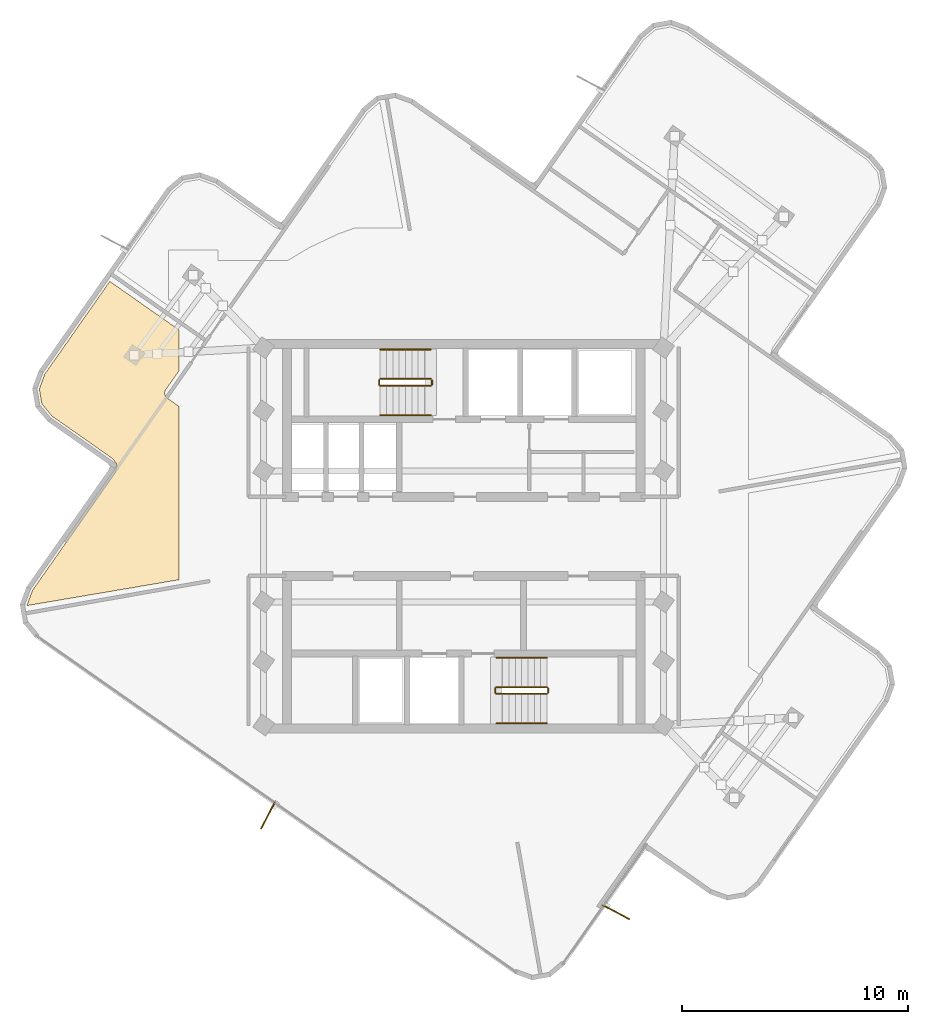
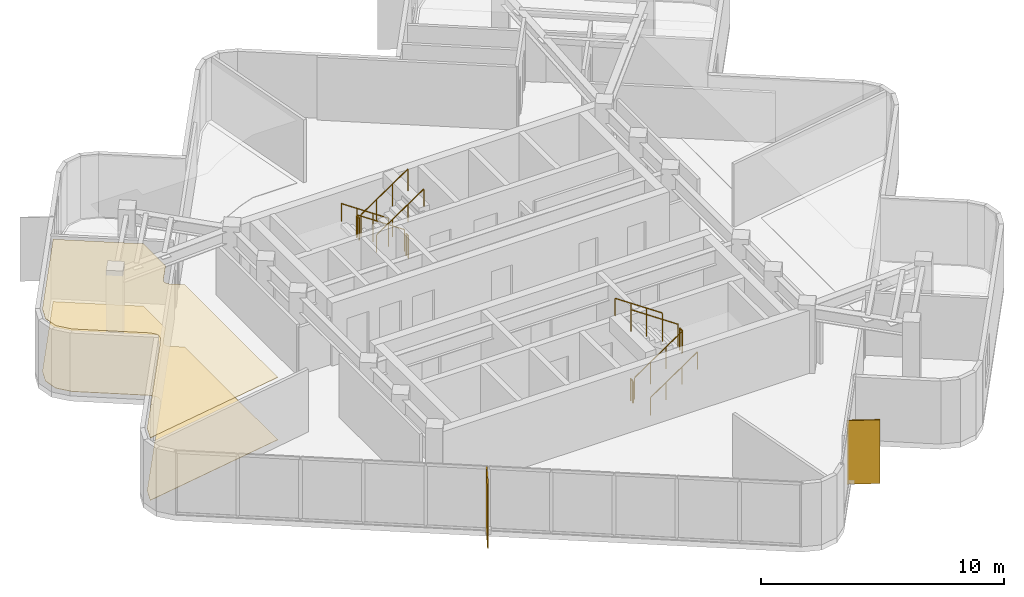
# One storey, part 7 of 8: 12 railings, 2 coverings, 2 shading devices.
"""IFC4 building model written with IfcOpenShell, lengths in metres."""

from ifc_helpers import new_model, si_unit, direction, frame, origin, origin_2d, place, context, subcontext, project, spatial, polyline, rectangle, circle, outline, extrude, material, layer, layer_set, type_object, element, save


model = new_model("IFC4")

# Units and contexts
model_context = context("Model", 3, precision=1e-05, world=origin(), true_north=direction((0.0, 1.0)))
body_context = subcontext(model_context, "Body", "Model", "MODEL_VIEW")
ifc_project = project(units=[si_unit("LENGTHUNIT", "METRE"), si_unit("AREAUNIT", "SQUARE_METRE"), si_unit("VOLUMEUNIT", "CUBIC_METRE"), si_unit("PLANEANGLEUNIT", "RADIAN"), si_unit("MASSUNIT", "GRAM", prefix="KILO")], contexts=[model_context])

# Site, building, storey
site_placement = place(None, origin())
site = spatial("IfcSite", under=ifc_project, at=site_placement, CompositionType="ELEMENT")
building_placement = place(site_placement, origin())
building = spatial("IfcBuilding", under=site, at=building_placement, Name="Solmarez Civic Tower", CompositionType="ELEMENT")
storey_placement = place(building_placement, frame((0.0, 0.0, 264.60009765625)))
storey = spatial("IfcBuildingStorey", under=building, at=storey_placement, Name="L71", CompositionType="ELEMENT", Elevation=264.60009765625)

# Coverings
ifc_material_1 = material(Name="Perforated Mineral-Fibre Acoustic Ceiling")
ifc_layer_1 = layer(ifc_material_1, 0.02490234375)
ifc_layer_set_1 = layer_set([ifc_layer_1], Name="Perforated Mineral-Fibre Acoustic Ceiling")
covering_type_1 = type_object("IfcCoveringType", Name="COV-CEIL-ACOUSTIC", PredefinedType="CEILING", material=ifc_layer_set_1)
covering_1_placement = place(storey_placement, frame((0.0, 0.0, 3.135009765625)))
element("IfcCovering", 1, at=covering_1_placement, inside=storey, type_object=covering_type_1, Name="L71 Suspended Acoustic Ceiling 1", PredefinedType="CEILING", context=body_context, shape_type="SweptSolid", body=[
    extrude(outline(polyline([(-15.35009765625, 3.0830078125), (-15.35107421875, 3.070068359375), (-15.35400390625, 3.049072265625), (-15.35791015625, 3.030029296875), (-15.360107421875, 3.02294921875), (-15.362060546875, 3.01611328125), (-15.366943359375, 3.0009765625), (-15.426025390625, 2.839111328125), (-15.43701171875, 2.81396484375), (-15.446044921875, 2.7958984375), (-15.4560546875, 2.779052734375), (-15.462890625, 2.76904296875), (-19.080078125, -2.388916015625), (-19.322021484375, -3.053955078125), (-19.321044921875, -3.06103515625), (-12.60009765625, -1.9189453125), (-12.60009765625, 5.757080078125), (-13.114013671875, 6.117919921875), (-13.1201171875, 6.1220703125), (-13.1240234375, 6.125), (-13.14208984375, 6.139892578125), (-13.158935546875, 6.157958984375), (-13.1650390625, 6.1650390625), (-13.174072265625, 6.176025390625), (-13.179931640625, 6.18408203125), (-13.19091796875, 6.199951171875), (-13.199951171875, 6.217041015625), (-13.2080078125, 6.23388671875), (-13.2099609375, 6.239013671875), (-13.216064453125, 6.256103515625), (-13.220947265625, 6.27294921875), (-13.222900390625, 6.281982421875), (-13.22412109375, 6.287109375), (-13.22509765625, 6.2919921875), (-13.22802734375, 6.31298828125), (-13.22900390625, 6.3349609375), (-13.22900390625, 6.344970703125), (-13.22802734375, 6.366943359375), (-13.22509765625, 6.387939453125), (-13.22412109375, 6.39306640625), (-13.217041015625, 6.419921875), (-13.214111328125, 6.428955078125), (-13.208984375, 6.44091796875), (-13.20703125, 6.446044921875), (-13.198974609375, 6.462890625), (-13.18994140625, 6.47998046875), (-13.177978515625, 6.4970703125), (-12.60009765625, 7.321044921875), (-12.60009765625, 9.14111328125), (-15.657958984375, 11.285888671875), (-18.534912109375, 7.18310546875), (-18.778076171875, 6.51806640625), (-18.6630859375, 5.860107421875), (-18.2080078125, 5.31689453125), (-15.5859375, 3.47900390625), (-15.569091796875, 3.466064453125), (-15.552001953125, 3.451904296875), (-15.547119140625, 3.447021484375), (-15.529052734375, 3.426025390625), (-15.4189453125, 3.294921875), (-15.4140625, 3.2890625), (-15.39990234375, 3.27001953125), (-15.39599609375, 3.263916015625), (-15.385986328125, 3.2470703125), (-15.376953125, 3.22900390625), (-15.3740234375, 3.221923828125), (-15.37109375, 3.215087890625), (-15.361083984375, 3.18798828125), (-15.35888671875, 3.180908203125), (-15.35498046875, 3.1650390625), (-15.35302734375, 3.14794921875), (-15.35107421875, 3.132080078125), (-15.34912109375, 3.113037109375), (-15.34912109375, 3.093017578125), (-15.35009765625, 3.0830078125)])), origin(), (0.0, 0.0, 1.0), 0.02490234375),
])
ifc_material_2 = material(Name="Polished Tropical Stone Terrazzo Flooring", Category="masonry")
ifc_layer_2 = layer(ifc_material_2, 0.02001953125)
ifc_layer_set_2 = layer_set([ifc_layer_2], Name="Polished Tropical Stone Terrazzo Flooring")
covering_type_2 = type_object("IfcCoveringType", Name="COV-FLOOR-TERRAZZO", PredefinedType="FLOORING", material=ifc_layer_set_2)
covering_2_placement = place(storey_placement, origin())
element("IfcCovering", 2, at=covering_2_placement, inside=storey, type_object=covering_type_2, Name="L71 Terrazzo Floor Finish 1", PredefinedType="FLOORING", context=body_context, shape_type="SweptSolid", body=[
    extrude(outline(polyline([(-15.35009765625, 3.0830078125), (-15.35107421875, 3.070068359375), (-15.35400390625, 3.049072265625), (-15.35791015625, 3.030029296875), (-15.360107421875, 3.02294921875), (-15.362060546875, 3.01611328125), (-15.366943359375, 3.0009765625), (-15.426025390625, 2.839111328125), (-15.43701171875, 2.81396484375), (-15.446044921875, 2.7958984375), (-15.4560546875, 2.779052734375), (-15.462890625, 2.76904296875), (-19.080078125, -2.388916015625), (-19.322021484375, -3.053955078125), (-19.321044921875, -3.06103515625), (-12.60009765625, -1.9189453125), (-12.60009765625, 5.757080078125), (-13.114013671875, 6.117919921875), (-13.1201171875, 6.1220703125), (-13.1240234375, 6.125), (-13.14208984375, 6.139892578125), (-13.158935546875, 6.157958984375), (-13.1650390625, 6.1650390625), (-13.174072265625, 6.176025390625), (-13.179931640625, 6.18408203125), (-13.19091796875, 6.199951171875), (-13.199951171875, 6.217041015625), (-13.2080078125, 6.23388671875), (-13.2099609375, 6.239013671875), (-13.216064453125, 6.256103515625), (-13.220947265625, 6.27294921875), (-13.222900390625, 6.281982421875), (-13.22412109375, 6.287109375), (-13.22509765625, 6.2919921875), (-13.22802734375, 6.31298828125), (-13.22900390625, 6.3349609375), (-13.22900390625, 6.344970703125), (-13.22802734375, 6.366943359375), (-13.22509765625, 6.387939453125), (-13.22412109375, 6.39306640625), (-13.217041015625, 6.419921875), (-13.214111328125, 6.428955078125), (-13.208984375, 6.44091796875), (-13.20703125, 6.446044921875), (-13.198974609375, 6.462890625), (-13.18994140625, 6.47998046875), (-13.177978515625, 6.4970703125), (-12.60009765625, 7.321044921875), (-12.60009765625, 9.14111328125), (-15.657958984375, 11.285888671875), (-18.534912109375, 7.18310546875), (-18.778076171875, 6.51806640625), (-18.6630859375, 5.860107421875), (-18.2080078125, 5.31689453125), (-15.5859375, 3.47900390625), (-15.569091796875, 3.466064453125), (-15.552001953125, 3.451904296875), (-15.547119140625, 3.447021484375), (-15.529052734375, 3.426025390625), (-15.4189453125, 3.294921875), (-15.4140625, 3.2890625), (-15.39990234375, 3.27001953125), (-15.39599609375, 3.263916015625), (-15.385986328125, 3.2470703125), (-15.376953125, 3.22900390625), (-15.3740234375, 3.221923828125), (-15.37109375, 3.215087890625), (-15.361083984375, 3.18798828125), (-15.35888671875, 3.180908203125), (-15.35498046875, 3.1650390625), (-15.35302734375, 3.14794921875), (-15.35107421875, 3.132080078125), (-15.34912109375, 3.113037109375), (-15.34912109375, 3.093017578125), (-15.35009765625, 3.0830078125)])), origin(), (0.0, 0.0, 1.0), 0.02001953125),
])

# Shading devices
ifc_material_3 = material(Name="Bronze Anodised Aluminium EN AW-6063 T6", Category="aluminium")
ifc_layer_3 = layer(ifc_material_3, 0.054931640625)
ifc_layer_set_3 = layer_set([ifc_layer_3], Name="Bronze Anodised Aluminium EN AW-6063 T6")
shading_device_type = type_object("IfcShadingDeviceType", Name="FIN-BRONZE-Z56", PredefinedType="USERDEFINED", material=ifc_layer_set_3)
for number, where, z_axis, x_axis, name in (
    (3, (6.75, -16.6298828125, -0.0400390625), (0.0, 0.0, 1.0), (0.884881970101, -0.465815305664, 0.0), "L71 Anodised Bronze Solar Fin FIN-L71-01"),
    (4, (-8.655029296875, -12.343017578125, -0.0400390625), (0.0, 0.0, 1.0), (-0.465738083371, -0.884922616785, 0.0), "L71 Anodised Bronze Solar Fin FIN-L71-02"),
):
    element("IfcShadingDevice", number, at=place(storey_placement, frame(where, z_axis=z_axis, x_axis=x_axis)), inside=storey, type_object=shading_device_type, Name=name, ObjectType="FIN", PredefinedType="USERDEFINED", context=body_context, shape_type="SweptSolid", body=[
        extrude(rectangle(XDim=1.35009765625, YDim=0.054931640625, at=origin_2d()), origin(), (0.0, 0.0, 1.0), 3.199951171875),
    ])

# Railings
ifc_material_4 = material(Name="Painted Steel Stairwell Safety Guard", Category="steel")
railing_type_1 = type_object("IfcRailingType", Name="GUARD-STAIR-1120", PredefinedType="BALUSTRADE", material=ifc_material_4)
railing_1_placement = place(storey_placement, frame((-1.449951171875, 6.969970703125, 0.18994140625)))
element("IfcRailing", 5, at=railing_1_placement, inside=storey, type_object=railing_type_1, Name="L71 ST-1 stair guard 1", PredefinedType="BALUSTRADE", context=body_context, shape_type="SweptSolid", body=[
    extrude(circle(Radius=0.02392578125, at=origin_2d()), frame((0.0, 0.0, 1.09619140625), z_axis=(-0.827471284677, 0.0, 0.561508034703), x_axis=(0.0, -1.0, 0.0)), (0.0, 0.0, 1.0), 2.70703125),
    extrude(circle(Radius=0.02099609375, at=origin_2d()), origin(), (0.0, 0.0, 1.0), 1.072021484375),
    extrude(circle(Radius=0.02099609375, at=origin_2d()), frame((-0.74658203125, 0.0, 0.506591796875)), (0.0, 0.0, 1.0), 1.072021484375),
    extrude(circle(Radius=0.02099609375, at=origin_2d()), frame((-1.493408203125, 0.0, 1.013427734375)), (0.0, 0.0, 1.0), 1.072021484375),
    extrude(circle(Radius=0.02099609375, at=origin_2d()), frame((-2.239990234375, 0.0, 1.52001953125)), (0.0, 0.0, 1.0), 1.072021484375),
])
railing_2_placement = place(storey_placement, frame((-3.739990234375, 6.919921875, 1.7099609375)))
element("IfcRailing", 6, at=railing_2_placement, inside=storey, type_object=railing_type_1, Name="L71 ST-1 stair guard 2", PredefinedType="BALUSTRADE", context=body_context, shape_type="SweptSolid", body=[
    extrude(circle(Radius=0.02392578125, at=origin_2d()), frame((0.0, 0.0, 1.09619140625), z_axis=(0.0, -1.0, 0.0), x_axis=(1.0, 0.0, 0.0)), (0.0, 0.0, 1.0), 0.199951171875),
    extrude(circle(Radius=0.02099609375, at=origin_2d()), origin(), (0.0, 0.0, 1.0), 1.072021484375),
    extrude(circle(Radius=0.02099609375, at=origin_2d()), frame((0.0, -0.199951171875, 0.0)), (0.0, 0.0, 1.0), 1.072021484375),
])
railing_3_placement = place(storey_placement, frame((-3.68994140625, 6.669921875, 1.89990234375)))
element("IfcRailing", 7, at=railing_3_placement, inside=storey, type_object=railing_type_1, Name="L71 ST-1 stair guard 3", PredefinedType="BALUSTRADE", context=body_context, shape_type="SweptSolid", body=[
    extrude(circle(Radius=0.02392578125, at=origin_2d()), frame((0.0, 0.0, 1.09619140625), z_axis=(0.827471284677, 0.0, 0.561508034703), x_axis=(0.0, 1.0, 0.0)), (0.0, 0.0, 1.0), 2.70703125),
    extrude(circle(Radius=0.02099609375, at=origin_2d()), origin(), (0.0, 0.0, 1.0), 1.072021484375),
    extrude(circle(Radius=0.02099609375, at=origin_2d()), frame((0.74658203125, 0.0, 0.506591796875)), (0.0, 0.0, 1.0), 1.072021484375),
    extrude(circle(Radius=0.02099609375, at=origin_2d()), frame((1.493408203125, 0.0, 1.013427734375)), (0.0, 0.0, 1.0), 1.072021484375),
    extrude(circle(Radius=0.02099609375, at=origin_2d()), frame((2.239990234375, 0.0, 1.52001953125)), (0.0, 0.0, 1.0), 1.072021484375),
])
railing_4_placement = place(storey_placement, frame((-1.39990234375, 6.919921875, 0.0)))
element("IfcRailing", 8, at=railing_4_placement, inside=storey, type_object=railing_type_1, Name="L71 ST-1 stair guard 4", PredefinedType="BALUSTRADE", context=body_context, shape_type="SweptSolid", body=[
    extrude(circle(Radius=0.02392578125, at=origin_2d()), frame((0.0, 0.0, 1.09619140625), z_axis=(0.0, -1.0, 0.0), x_axis=(1.0, 0.0, 0.0)), (0.0, 0.0, 1.0), 0.199951171875),
    extrude(circle(Radius=0.02099609375, at=origin_2d()), origin(), (0.0, 0.0, 1.0), 1.072021484375),
    extrude(circle(Radius=0.02099609375, at=origin_2d()), frame((0.0, -0.199951171875, 0.0)), (0.0, 0.0, 1.0), 1.072021484375),
])
railing_5_placement = place(storey_placement, frame((1.449951171875, -6.969970703125, 0.18994140625)))
element("IfcRailing", 9, at=railing_5_placement, inside=storey, type_object=railing_type_1, Name="L71 ST-2 stair guard 1", PredefinedType="BALUSTRADE", context=body_context, shape_type="SweptSolid", body=[
    extrude(circle(Radius=0.02392578125, at=origin_2d()), frame((0.0, 0.0, 1.09619140625), z_axis=(0.827471284677, 0.0, 0.561508034703), x_axis=(0.0, 1.0, 0.0)), (0.0, 0.0, 1.0), 2.70703125),
    extrude(circle(Radius=0.02099609375, at=origin_2d()), origin(), (0.0, 0.0, 1.0), 1.072021484375),
    extrude(circle(Radius=0.02099609375, at=origin_2d()), frame((0.74658203125, 0.0, 0.506591796875)), (0.0, 0.0, 1.0), 1.072021484375),
    extrude(circle(Radius=0.02099609375, at=origin_2d()), frame((1.493408203125, 0.0, 1.013427734375)), (0.0, 0.0, 1.0), 1.072021484375),
    extrude(circle(Radius=0.02099609375, at=origin_2d()), frame((2.239990234375, 0.0, 1.52001953125)), (0.0, 0.0, 1.0), 1.072021484375),
])
railing_6_placement = place(storey_placement, frame((3.739990234375, -6.919921875, 1.7099609375)))
element("IfcRailing", 10, at=railing_6_placement, inside=storey, type_object=railing_type_1, Name="L71 ST-2 stair guard 2", PredefinedType="BALUSTRADE", context=body_context, shape_type="SweptSolid", body=[
    extrude(circle(Radius=0.02392578125, at=origin_2d()), frame((0.0, 0.0, 1.09619140625), z_axis=(0.0, 1.0, 0.0), x_axis=(-1.0, 0.0, 0.0)), (0.0, 0.0, 1.0), 0.199951171875),
    extrude(circle(Radius=0.02099609375, at=origin_2d()), origin(), (0.0, 0.0, 1.0), 1.072021484375),
    extrude(circle(Radius=0.02099609375, at=origin_2d()), frame((0.0, 0.199951171875, 0.0)), (0.0, 0.0, 1.0), 1.072021484375),
])
railing_7_placement = place(storey_placement, frame((3.68994140625, -6.669921875, 1.89990234375)))
element("IfcRailing", 11, at=railing_7_placement, inside=storey, type_object=railing_type_1, Name="L71 ST-2 stair guard 3", PredefinedType="BALUSTRADE", context=body_context, shape_type="SweptSolid", body=[
    extrude(circle(Radius=0.02392578125, at=origin_2d()), frame((0.0, 0.0, 1.09619140625), z_axis=(-0.827471284677, 0.0, 0.561508034703), x_axis=(0.0, -1.0, 0.0)), (0.0, 0.0, 1.0), 2.70703125),
    extrude(circle(Radius=0.02099609375, at=origin_2d()), origin(), (0.0, 0.0, 1.0), 1.072021484375),
    extrude(circle(Radius=0.02099609375, at=origin_2d()), frame((-0.74658203125, 0.0, 0.506591796875)), (0.0, 0.0, 1.0), 1.072021484375),
    extrude(circle(Radius=0.02099609375, at=origin_2d()), frame((-1.493408203125, 0.0, 1.013427734375)), (0.0, 0.0, 1.0), 1.072021484375),
    extrude(circle(Radius=0.02099609375, at=origin_2d()), frame((-2.239990234375, 0.0, 1.52001953125)), (0.0, 0.0, 1.0), 1.072021484375),
])
railing_8_placement = place(storey_placement, frame((1.39990234375, -6.919921875, 0.0)))
element("IfcRailing", 12, at=railing_8_placement, inside=storey, type_object=railing_type_1, Name="L71 ST-2 stair guard 4", PredefinedType="BALUSTRADE", context=body_context, shape_type="SweptSolid", body=[
    extrude(circle(Radius=0.02392578125, at=origin_2d()), frame((0.0, 0.0, 1.09619140625), z_axis=(0.0, 1.0, 0.0), x_axis=(-1.0, 0.0, 0.0)), (0.0, 0.0, 1.0), 0.199951171875),
    extrude(circle(Radius=0.02099609375, at=origin_2d()), origin(), (0.0, 0.0, 1.0), 1.072021484375),
    extrude(circle(Radius=0.02099609375, at=origin_2d()), frame((0.0, 0.199951171875, 0.0)), (0.0, 0.0, 1.0), 1.072021484375),
])
ifc_material_5 = material(Name="Brushed Stainless Steel Tube Handrail", Category="steel")
railing_type_2 = type_object("IfcRailingType", Name="HANDRAIL-STAIR-900", PredefinedType="HANDRAIL", material=ifc_material_5)
railing_9_placement = place(storey_placement, frame((-1.449951171875, 8.27001953125, 0.18994140625)))
element("IfcRailing", 13, at=railing_9_placement, inside=storey, type_object=railing_type_2, Name="L71 ST-1 stair handrail 1", PredefinedType="HANDRAIL", context=body_context, shape_type="SweptSolid", body=[
    extrude(circle(Radius=0.02392578125, at=origin_2d()), frame((0.0, 0.0, 0.8759765625), z_axis=(-0.827471284677, 0.0, 0.561508034703), x_axis=(0.0, -1.0, 0.0)), (0.0, 0.0, 1.0), 2.70703125),
    extrude(circle(Radius=0.02099609375, at=origin_2d()), origin(), (0.0, 0.0, 1.0), 0.851806640625),
    extrude(circle(Radius=0.02099609375, at=origin_2d()), frame((-0.74658203125, 0.0, 0.506591796875)), (0.0, 0.0, 1.0), 0.851806640625),
    extrude(circle(Radius=0.02099609375, at=origin_2d()), frame((-1.493408203125, 0.0, 1.013427734375)), (0.0, 0.0, 1.0), 0.851806640625),
    extrude(circle(Radius=0.02099609375, at=origin_2d()), frame((-2.239990234375, 0.0, 1.52001953125)), (0.0, 0.0, 1.0), 0.851806640625),
])
for number, where, name in (
    (14, (-3.68994140625, 5.3701171875, 1.89990234375), "L71 ST-1 stair handrail 2"),
    (15, (1.449951171875, -8.27001953125, 0.18994140625), "L71 ST-2 stair handrail 1"),
):
    element("IfcRailing", number, at=place(storey_placement, frame(where)), inside=storey, type_object=railing_type_2, Name=name, PredefinedType="HANDRAIL", context=body_context, shape_type="SweptSolid", body=[
        extrude(circle(Radius=0.02392578125, at=origin_2d()), frame((0.0, 0.0, 0.8759765625), z_axis=(0.827471284677, 0.0, 0.561508034703), x_axis=(0.0, 1.0, 0.0)), (0.0, 0.0, 1.0), 2.70703125),
        extrude(circle(Radius=0.02099609375, at=origin_2d()), origin(), (0.0, 0.0, 1.0), 0.851806640625),
        extrude(circle(Radius=0.02099609375, at=origin_2d()), frame((0.74658203125, 0.0, 0.506591796875)), (0.0, 0.0, 1.0), 0.851806640625),
        extrude(circle(Radius=0.02099609375, at=origin_2d()), frame((1.493408203125, 0.0, 1.013427734375)), (0.0, 0.0, 1.0), 0.851806640625),
        extrude(circle(Radius=0.02099609375, at=origin_2d()), frame((2.239990234375, 0.0, 1.52001953125)), (0.0, 0.0, 1.0), 0.851806640625),
    ])
railing_10_placement = place(storey_placement, frame((3.68994140625, -5.3701171875, 1.89990234375)))
element("IfcRailing", 16, at=railing_10_placement, inside=storey, type_object=railing_type_2, Name="L71 ST-2 stair handrail 2", PredefinedType="HANDRAIL", context=body_context, shape_type="SweptSolid", body=[
    extrude(circle(Radius=0.02392578125, at=origin_2d()), frame((0.0, 0.0, 0.8759765625), z_axis=(-0.827471284677, 0.0, 0.561508034703), x_axis=(0.0, -1.0, 0.0)), (0.0, 0.0, 1.0), 2.70703125),
    extrude(circle(Radius=0.02099609375, at=origin_2d()), origin(), (0.0, 0.0, 1.0), 0.851806640625),
    extrude(circle(Radius=0.02099609375, at=origin_2d()), frame((-0.74658203125, 0.0, 0.506591796875)), (0.0, 0.0, 1.0), 0.851806640625),
    extrude(circle(Radius=0.02099609375, at=origin_2d()), frame((-1.493408203125, 0.0, 1.013427734375)), (0.0, 0.0, 1.0), 0.851806640625),
    extrude(circle(Radius=0.02099609375, at=origin_2d()), frame((-2.239990234375, 0.0, 1.52001953125)), (0.0, 0.0, 1.0), 0.851806640625),
])

save(model, "model.ifc")
